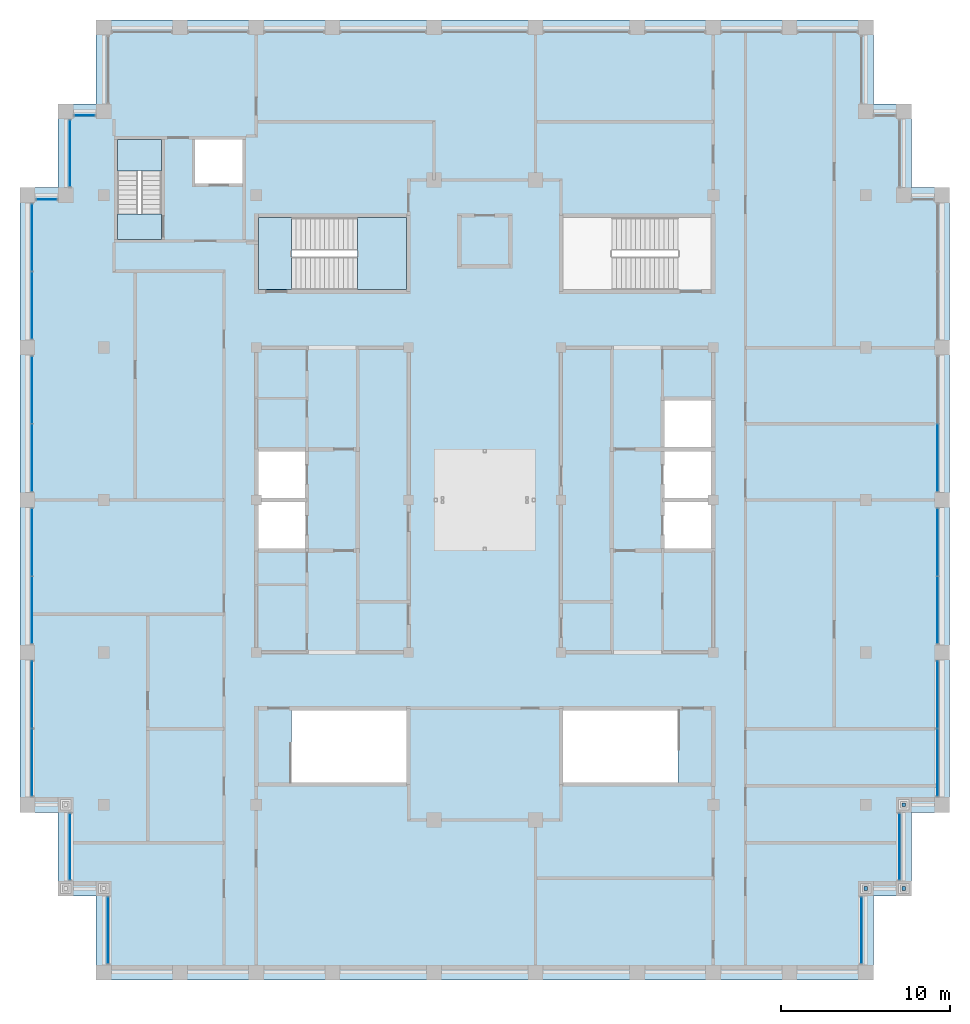
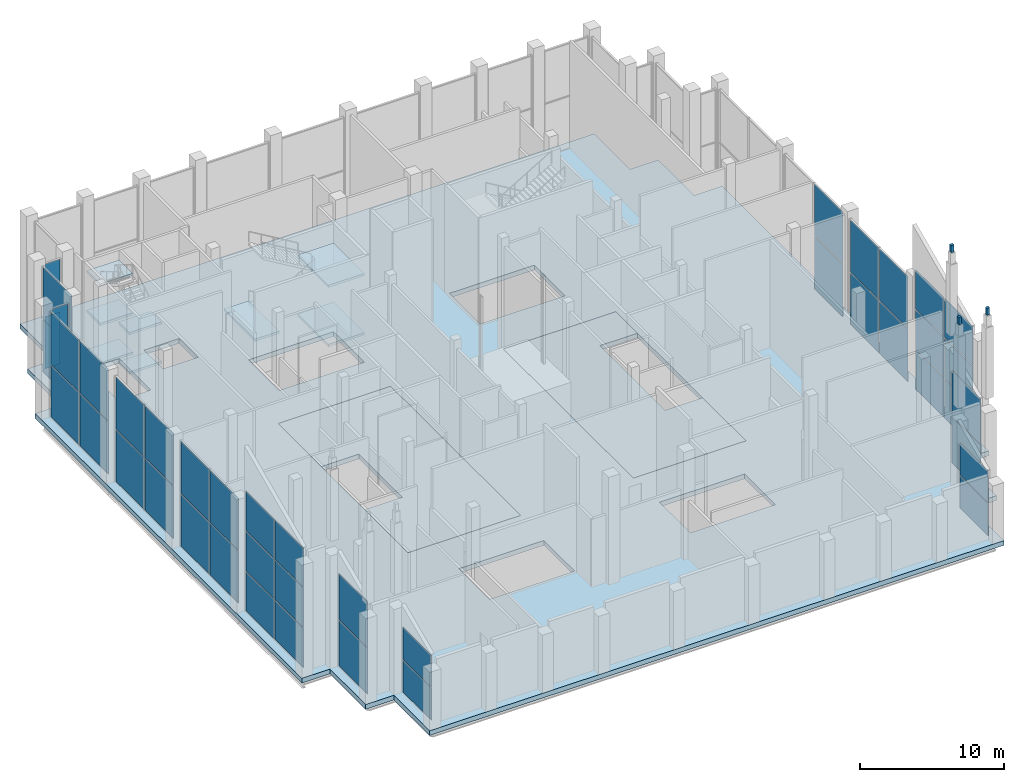
# One storey, part 10 of 16: 44 plates, 11 slabs, 3 members, 16 elements without a shape of their own.
"""IFC4 building model written with IfcOpenShell, lengths in metres."""

from ifc_helpers import new_model, si_unit, direction, frame, origin, origin_2d, place, context, subcontext, project, spatial, polyline, rectangle, outline, extrude, material, layer, layer_set, material_profile, profile_set, type_object, element, aggregate, save


model = new_model("IFC4")

# Units and contexts
model_context = context("Model", 3, precision=1e-05, world=origin(), true_north=direction((0.0, 1.0)))
body_context = subcontext(model_context, "Body", "Model", "MODEL_VIEW")
ifc_project = project(units=[si_unit("LENGTHUNIT", "METRE"), si_unit("AREAUNIT", "SQUARE_METRE"), si_unit("VOLUMEUNIT", "CUBIC_METRE"), si_unit("PLANEANGLEUNIT", "RADIAN"), si_unit("MASSUNIT", "GRAM", prefix="KILO")], contexts=[model_context])

# Site, building, storey
site_placement = place(None, origin())
site = spatial("IfcSite", under=ifc_project, at=site_placement, CompositionType="ELEMENT")
building_placement = place(site_placement, origin())
building = spatial("IfcBuilding", under=site, at=building_placement, Name="Corbelhall Arena Tower", CompositionType="ELEMENT")
storey_placement = place(building_placement, frame((0.0, 0.0, 366.0)))
storey = spatial("IfcBuildingStorey", under=building, at=storey_placement, Name="L80", CompositionType="ELEMENT", Elevation=366.0)

# Members
ifc_material_1 = material(Name="Cast aluminium bronze finish", Category="aluminium")
ifc_material_profile = material_profile(ifc_material_1, rectangle(XDim=0.219970703125, YDim=0.219970703125, at=origin_2d()))
ifc_profile_set = profile_set([ifc_material_profile], Name="Cast aluminium bronze finish")
member_type = type_object("IfcMemberType", Name="EV-PN7 Pinnacle spire 220", PredefinedType="USERDEFINED", material=ifc_profile_set)
for number, where, z_axis, x_axis, name in (
    (1, (22.5, -22.949951171875, 15.20654296875), (0.0, 0.0, 1.0), (1.0, 0.0, 0.0), "Pinnacle spire"),
    (2, (24.75, -22.949951171875, 15.20654296875), (0.0, 0.0, 1.0), (1.0, 0.0, 0.0), "Pinnacle spire"),
    (3, (24.75, -18.0, 17.512939453125), (0.0, 0.0, 1.0), (1.0, 0.0, 0.0), "Pinnacle spire"),
):
    element("IfcMember", number, at=place(storey_placement, frame(where, z_axis=z_axis, x_axis=x_axis)), inside=storey, type_object=member_type, Name=name, ObjectType="pinnacle spire", PredefinedType="USERDEFINED", context=body_context, shape_type="SweptSolid", body=[
        extrude(rectangle(XDim=0.219970703125, YDim=0.219970703125, at=origin_2d()), origin(), (0.0, 0.0, 1.0), 0.599853515625),
    ])

# Curtain wall, plates
ifc_material_2 = material(Name="Aluminium black anodised", Category="aluminium")
ifc_layer_1 = layer(ifc_material_2, 0.219970703125)
ifc_layer_set_1 = layer_set([ifc_layer_1], Name="EV-CW2 Damper hall glazing")
curtain_wall_type = type_object("IfcCurtainWallType", Name="EV-CW2 Damper hall glazing", PredefinedType="NOTDEFINED", material=ifc_layer_set_1)
curtain_wall_1_placement = place(storey_placement, origin())
curtain_wall_1 = element("IfcCurtainWall", 4, at=curtain_wall_1_placement, inside=storey, type_object=curtain_wall_type, Name="Curtain wall CW2", PredefinedType="NOTDEFINED")
ifc_material_3 = material(Name="Glass dark tinted laminated", Category="glass")
ifc_layer_2 = layer(ifc_material_3, 0.028076171875)
ifc_layer_set_2 = layer_set([ifc_layer_2], Name="EV-CW2-PANEL")
plate_type = type_object("IfcPlateType", Name="EV-CW2-PANEL", PredefinedType="CURTAIN_PANEL", material=ifc_layer_set_2)
plate_1_placement = place(storey_placement, frame((-24.5, 20.47509765625, 0.074951171875), z_axis=(0.0, 0.0, 1.0), x_axis=(0.0, -1.0, 0.0)))
plate_1 = element("IfcPlate", 5, at=plate_1_placement, type_object=plate_type, Name="CW2 panel 1.1", PredefinedType="CURTAIN_PANEL", context=body_context, shape_type="SweptSolid", body=[
    extrude(rectangle(XDim=3.89990234375, YDim=0.028076171875, at=origin_2d()), origin(), (0.0, 0.0, 1.0), 4.38720703125),
])
plate_2_placement = place(storey_placement, frame((-24.5, 20.47509765625, 4.537353515625), z_axis=(0.0, 0.0, 1.0), x_axis=(0.0, -1.0, 0.0)))
plate_2 = element("IfcPlate", 6, at=plate_2_placement, type_object=plate_type, Name="CW2 panel 1.2", PredefinedType="CURTAIN_PANEL", context=body_context, shape_type="SweptSolid", body=[
    extrude(rectangle(XDim=3.89990234375, YDim=0.028076171875, at=origin_2d()), origin(), (0.0, 0.0, 1.0), 4.38720703125),
])
aggregate(curtain_wall_1, [plate_1, plate_2])

curtain_wall_2_placement = place(storey_placement, origin())
curtain_wall_2 = element("IfcCurtainWall", 7, at=curtain_wall_2_placement, inside=storey, type_object=curtain_wall_type, Name="Curtain wall CW2B", PredefinedType="NOTDEFINED")
plate_3_placement = place(storey_placement, frame((-25.875, 17.75, 0.074951171875), z_axis=(0.0, 0.0, 1.0), x_axis=(-1.0, 0.0, 0.0)))
plate_3 = element("IfcPlate", 8, at=plate_3_placement, type_object=plate_type, Name="CW2B panel 1.1", PredefinedType="CURTAIN_PANEL", context=body_context, shape_type="SweptSolid", body=[
    extrude(rectangle(XDim=1.199951171875, YDim=0.028076171875, at=origin_2d()), origin(), (0.0, 0.0, 1.0), 4.38720703125),
])
plate_4_placement = place(storey_placement, frame((-25.875, 17.75, 4.537353515625), z_axis=(0.0, 0.0, 1.0), x_axis=(-1.0, 0.0, 0.0)))
plate_4 = element("IfcPlate", 9, at=plate_4_placement, type_object=plate_type, Name="CW2B panel 1.2", PredefinedType="CURTAIN_PANEL", context=body_context, shape_type="SweptSolid", body=[
    extrude(rectangle(XDim=1.199951171875, YDim=0.028076171875, at=origin_2d()), origin(), (0.0, 0.0, 1.0), 4.38720703125),
])
aggregate(curtain_wall_2, [plate_3, plate_4])

curtain_wall_3_placement = place(storey_placement, origin())
curtain_wall_3 = element("IfcCurtainWall", 10, at=curtain_wall_3_placement, inside=storey, type_object=curtain_wall_type, Name="Curtain wall CW2", PredefinedType="NOTDEFINED")
plate_5_placement = place(storey_placement, frame((-26.75, 15.50634765625, 0.074951171875), z_axis=(0.0, 0.0, 1.0), x_axis=(0.0, -1.0, 0.0)))
plate_5 = element("IfcPlate", 11, at=plate_5_placement, type_object=plate_type, Name="CW2 panel 1.1", PredefinedType="CURTAIN_PANEL", context=body_context, shape_type="SweptSolid", body=[
    extrude(rectangle(XDim=3.9375, YDim=0.028076171875, at=origin_2d()), origin(), (0.0, 0.0, 1.0), 4.38720703125),
])
plate_6_placement = place(storey_placement, frame((-26.75, 15.50634765625, 4.537353515625), z_axis=(0.0, 0.0, 1.0), x_axis=(0.0, -1.0, 0.0)))
plate_6 = element("IfcPlate", 12, at=plate_6_placement, type_object=plate_type, Name="CW2 panel 1.2", PredefinedType="CURTAIN_PANEL", context=body_context, shape_type="SweptSolid", body=[
    extrude(rectangle(XDim=3.9375, YDim=0.028076171875, at=origin_2d()), origin(), (0.0, 0.0, 1.0), 4.38720703125),
])
plate_7_placement = place(storey_placement, frame((-26.75, 11.49365234375, 0.074951171875), z_axis=(0.0, 0.0, 1.0), x_axis=(0.0, -1.0, 0.0)))
plate_7 = element("IfcPlate", 13, at=plate_7_placement, type_object=plate_type, Name="CW2 panel 2.1", PredefinedType="CURTAIN_PANEL", context=body_context, shape_type="SweptSolid", body=[
    extrude(rectangle(XDim=3.9375, YDim=0.028076171875, at=origin_2d()), origin(), (0.0, 0.0, 1.0), 4.38720703125),
])
plate_8_placement = place(storey_placement, frame((-26.75, 11.49365234375, 4.537353515625), z_axis=(0.0, 0.0, 1.0), x_axis=(0.0, -1.0, 0.0)))
plate_8 = element("IfcPlate", 14, at=plate_8_placement, type_object=plate_type, Name="CW2 panel 2.2", PredefinedType="CURTAIN_PANEL", context=body_context, shape_type="SweptSolid", body=[
    extrude(rectangle(XDim=3.9375, YDim=0.028076171875, at=origin_2d()), origin(), (0.0, 0.0, 1.0), 4.38720703125),
])
aggregate(curtain_wall_3, [plate_5, plate_6, plate_7, plate_8])

curtain_wall_4_placement = place(storey_placement, origin())
curtain_wall_4 = element("IfcCurtainWall", 15, at=curtain_wall_4_placement, inside=storey, type_object=curtain_wall_type, Name="Curtain wall CW2", PredefinedType="NOTDEFINED")
plate_9_placement = place(storey_placement, frame((-26.75, 6.50634765625, 0.074951171875), z_axis=(0.0, 0.0, 1.0), x_axis=(0.0, -1.0, 0.0)))
plate_9 = element("IfcPlate", 16, at=plate_9_placement, type_object=plate_type, Name="CW2 panel 1.1", PredefinedType="CURTAIN_PANEL", context=body_context, shape_type="SweptSolid", body=[
    extrude(rectangle(XDim=3.9375, YDim=0.028076171875, at=origin_2d()), origin(), (0.0, 0.0, 1.0), 4.38720703125),
])
plate_10_placement = place(storey_placement, frame((-26.75, 6.50634765625, 4.537353515625), z_axis=(0.0, 0.0, 1.0), x_axis=(0.0, -1.0, 0.0)))
plate_10 = element("IfcPlate", 17, at=plate_10_placement, type_object=plate_type, Name="CW2 panel 1.2", PredefinedType="CURTAIN_PANEL", context=body_context, shape_type="SweptSolid", body=[
    extrude(rectangle(XDim=3.9375, YDim=0.028076171875, at=origin_2d()), origin(), (0.0, 0.0, 1.0), 4.38720703125),
])
plate_11_placement = place(storey_placement, frame((-26.75, 2.49365234375, 0.074951171875), z_axis=(0.0, 0.0, 1.0), x_axis=(0.0, -1.0, 0.0)))
plate_11 = element("IfcPlate", 18, at=plate_11_placement, type_object=plate_type, Name="CW2 panel 2.1", PredefinedType="CURTAIN_PANEL", context=body_context, shape_type="SweptSolid", body=[
    extrude(rectangle(XDim=3.9375, YDim=0.028076171875, at=origin_2d()), origin(), (0.0, 0.0, 1.0), 4.38720703125),
])
plate_12_placement = place(storey_placement, frame((-26.75, 2.49365234375, 4.537353515625), z_axis=(0.0, 0.0, 1.0), x_axis=(0.0, -1.0, 0.0)))
plate_12 = element("IfcPlate", 19, at=plate_12_placement, type_object=plate_type, Name="CW2 panel 2.2", PredefinedType="CURTAIN_PANEL", context=body_context, shape_type="SweptSolid", body=[
    extrude(rectangle(XDim=3.9375, YDim=0.028076171875, at=origin_2d()), origin(), (0.0, 0.0, 1.0), 4.38720703125),
])
aggregate(curtain_wall_4, [plate_9, plate_10, plate_11, plate_12])

curtain_wall_5_placement = place(storey_placement, origin())
curtain_wall_5 = element("IfcCurtainWall", 20, at=curtain_wall_5_placement, inside=storey, type_object=curtain_wall_type, Name="Curtain wall CW2", PredefinedType="NOTDEFINED")
plate_13_placement = place(storey_placement, frame((-26.75, -2.49365234375, 0.074951171875), z_axis=(0.0, 0.0, 1.0), x_axis=(0.0, -1.0, 0.0)))
plate_13 = element("IfcPlate", 21, at=plate_13_placement, type_object=plate_type, Name="CW2 panel 1.1", PredefinedType="CURTAIN_PANEL", context=body_context, shape_type="SweptSolid", body=[
    extrude(rectangle(XDim=3.9375, YDim=0.028076171875, at=origin_2d()), origin(), (0.0, 0.0, 1.0), 4.38720703125),
])
plate_14_placement = place(storey_placement, frame((-26.75, -2.49365234375, 4.537353515625), z_axis=(0.0, 0.0, 1.0), x_axis=(0.0, -1.0, 0.0)))
plate_14 = element("IfcPlate", 22, at=plate_14_placement, type_object=plate_type, Name="CW2 panel 1.2", PredefinedType="CURTAIN_PANEL", context=body_context, shape_type="SweptSolid", body=[
    extrude(rectangle(XDim=3.9375, YDim=0.028076171875, at=origin_2d()), origin(), (0.0, 0.0, 1.0), 4.38720703125),
])
plate_15_placement = place(storey_placement, frame((-26.75, -6.50634765625, 0.074951171875), z_axis=(0.0, 0.0, 1.0), x_axis=(0.0, -1.0, 0.0)))
plate_15 = element("IfcPlate", 23, at=plate_15_placement, type_object=plate_type, Name="CW2 panel 2.1", PredefinedType="CURTAIN_PANEL", context=body_context, shape_type="SweptSolid", body=[
    extrude(rectangle(XDim=3.9375, YDim=0.028076171875, at=origin_2d()), origin(), (0.0, 0.0, 1.0), 4.38720703125),
])
plate_16_placement = place(storey_placement, frame((-26.75, -6.50634765625, 4.537353515625), z_axis=(0.0, 0.0, 1.0), x_axis=(0.0, -1.0, 0.0)))
plate_16 = element("IfcPlate", 24, at=plate_16_placement, type_object=plate_type, Name="CW2 panel 2.2", PredefinedType="CURTAIN_PANEL", context=body_context, shape_type="SweptSolid", body=[
    extrude(rectangle(XDim=3.9375, YDim=0.028076171875, at=origin_2d()), origin(), (0.0, 0.0, 1.0), 4.38720703125),
])
aggregate(curtain_wall_5, [plate_13, plate_14, plate_15, plate_16])

curtain_wall_6_placement = place(storey_placement, origin())
curtain_wall_6 = element("IfcCurtainWall", 25, at=curtain_wall_6_placement, inside=storey, type_object=curtain_wall_type, Name="Curtain wall CW2D", PredefinedType="NOTDEFINED")
plate_17_placement = place(storey_placement, frame((-26.75, -11.49365234375, 0.074951171875), z_axis=(0.0, 0.0, 1.0), x_axis=(0.0, -1.0, 0.0)))
plate_17 = element("IfcPlate", 26, at=plate_17_placement, type_object=plate_type, Name="CW2D panel 1.1", PredefinedType="CURTAIN_PANEL", context=body_context, shape_type="SweptSolid", body=[
    extrude(rectangle(XDim=3.9375, YDim=0.028076171875, at=origin_2d()), origin(), (0.0, 0.0, 1.0), 3.302734375),
])
plate_18_placement = place(storey_placement, frame((-26.75, -11.49365234375, 3.452880859375), z_axis=(0.0, 0.0, 1.0), x_axis=(0.0, -1.0, 0.0)))
plate_18 = element("IfcPlate", 27, at=plate_18_placement, type_object=plate_type, Name="CW2D panel 1.2", PredefinedType="CURTAIN_PANEL", context=body_context, shape_type="SweptSolid", body=[
    extrude(rectangle(XDim=3.9375, YDim=0.028076171875, at=origin_2d()), origin(), (0.0, 0.0, 1.0), 3.34033203125),
])
plate_19_placement = place(storey_placement, frame((-26.75, -11.49365234375, 6.8681640625), z_axis=(0.0, 0.0, 1.0), x_axis=(0.0, -1.0, 0.0)))
plate_19 = element("IfcPlate", 28, at=plate_19_placement, type_object=plate_type, Name="CW2D panel 1.3", PredefinedType="CURTAIN_PANEL", context=body_context, shape_type="SweptSolid", body=[
    extrude(rectangle(XDim=3.9375, YDim=0.028076171875, at=origin_2d()), origin(), (0.0, 0.0, 1.0), 3.302734375),
])
plate_20_placement = place(storey_placement, frame((-26.75, -15.50634765625, 0.074951171875), z_axis=(0.0, 0.0, 1.0), x_axis=(0.0, -1.0, 0.0)))
plate_20 = element("IfcPlate", 29, at=plate_20_placement, type_object=plate_type, Name="CW2D panel 2.1", PredefinedType="CURTAIN_PANEL", context=body_context, shape_type="SweptSolid", body=[
    extrude(rectangle(XDim=3.9375, YDim=0.028076171875, at=origin_2d()), origin(), (0.0, 0.0, 1.0), 3.302734375),
])
plate_21_placement = place(storey_placement, frame((-26.75, -15.50634765625, 3.452880859375), z_axis=(0.0, 0.0, 1.0), x_axis=(0.0, -1.0, 0.0)))
plate_21 = element("IfcPlate", 30, at=plate_21_placement, type_object=plate_type, Name="CW2D panel 2.2", PredefinedType="CURTAIN_PANEL", context=body_context, shape_type="SweptSolid", body=[
    extrude(rectangle(XDim=3.9375, YDim=0.028076171875, at=origin_2d()), origin(), (0.0, 0.0, 1.0), 3.34033203125),
])
plate_22_placement = place(storey_placement, frame((-26.75, -15.50634765625, 6.8681640625), z_axis=(0.0, 0.0, 1.0), x_axis=(0.0, -1.0, 0.0)))
plate_22 = element("IfcPlate", 31, at=plate_22_placement, type_object=plate_type, Name="CW2D panel 2.3", PredefinedType="CURTAIN_PANEL", context=body_context, shape_type="SweptSolid", body=[
    extrude(rectangle(XDim=3.9375, YDim=0.028076171875, at=origin_2d()), origin(), (0.0, 0.0, 1.0), 3.302734375),
])
aggregate(curtain_wall_6, [plate_17, plate_18, plate_19, plate_20, plate_21, plate_22])

curtain_wall_7_placement = place(storey_placement, origin())
curtain_wall_7 = element("IfcCurtainWall", 32, at=curtain_wall_7_placement, inside=storey, type_object=curtain_wall_type, Name="Curtain wall CW2F", PredefinedType="NOTDEFINED")
plate_23_placement = place(storey_placement, frame((-24.5, -20.47509765625, 0.0751953125), z_axis=(0.0, 0.0, 1.0), x_axis=(0.0, -1.0, 0.0)))
plate_23 = element("IfcPlate", 33, at=plate_23_placement, type_object=plate_type, Name="CW2F panel 1.1", PredefinedType="CURTAIN_PANEL", context=body_context, shape_type="SweptSolid", body=[
    extrude(rectangle(XDim=3.89990234375, YDim=0.028076171875, at=origin_2d()), origin(), (0.0, 0.0, 1.0), 3.857177734375),
])
plate_24_placement = place(storey_placement, frame((-24.5, -20.47509765625, 4.00732421875), z_axis=(0.0, 0.0, 1.0), x_axis=(0.0, -1.0, 0.0)))
plate_24 = element("IfcPlate", 34, at=plate_24_placement, type_object=plate_type, Name="CW2F panel 1.2", PredefinedType="CURTAIN_PANEL", context=body_context, shape_type="SweptSolid", body=[
    extrude(rectangle(XDim=3.89990234375, YDim=0.028076171875, at=origin_2d()), origin(), (0.0, 0.0, 1.0), 3.857177734375),
])
aggregate(curtain_wall_7, [plate_23, plate_24])

curtain_wall_8_placement = place(storey_placement, origin())
curtain_wall_8 = element("IfcCurtainWall", 35, at=curtain_wall_8_placement, inside=storey, type_object=curtain_wall_type, Name="Curtain wall CW2E", PredefinedType="NOTDEFINED")
plate_25_placement = place(storey_placement, frame((-22.25, -25.425048828125, 0.074951171875), z_axis=(0.0, 0.0, 1.0), x_axis=(0.0, -1.0, 0.0)))
plate_25 = element("IfcPlate", 36, at=plate_25_placement, type_object=plate_type, Name="CW2E panel 1.1", PredefinedType="CURTAIN_PANEL", context=body_context, shape_type="SweptSolid", body=[
    extrude(rectangle(XDim=3.89990234375, YDim=0.028076171875, at=origin_2d()), origin(), (0.0, 0.0, 1.0), 2.7041015625),
])
plate_26_placement = place(storey_placement, frame((-22.25, -25.425048828125, 2.85400390625), z_axis=(0.0, 0.0, 1.0), x_axis=(0.0, -1.0, 0.0)))
plate_26 = element("IfcPlate", 37, at=plate_26_placement, type_object=plate_type, Name="CW2E panel 1.2", PredefinedType="CURTAIN_PANEL", context=body_context, shape_type="SweptSolid", body=[
    extrude(rectangle(XDim=3.89990234375, YDim=0.028076171875, at=origin_2d()), origin(), (0.0, 0.0, 1.0), 2.7041015625),
])
aggregate(curtain_wall_8, [plate_25, plate_26])

curtain_wall_9_placement = place(storey_placement, origin())
curtain_wall_9 = element("IfcCurtainWall", 38, at=curtain_wall_9_placement, inside=storey, type_object=curtain_wall_type, Name="Curtain wall CW2E", PredefinedType="NOTDEFINED")
plate_27_placement = place(storey_placement, frame((22.25, -25.425048828125, 0.074951171875), z_axis=(0.0, 0.0, 1.0), x_axis=(0.0, 1.0, 0.0)))
plate_27 = element("IfcPlate", 39, at=plate_27_placement, type_object=plate_type, Name="CW2E panel 1.1", PredefinedType="CURTAIN_PANEL", context=body_context, shape_type="SweptSolid", body=[
    extrude(rectangle(XDim=3.89990234375, YDim=0.028076171875, at=origin_2d()), origin(), (0.0, 0.0, 1.0), 2.7041015625),
])
plate_28_placement = place(storey_placement, frame((22.25, -25.425048828125, 2.85400390625), z_axis=(0.0, 0.0, 1.0), x_axis=(0.0, 1.0, 0.0)))
plate_28 = element("IfcPlate", 40, at=plate_28_placement, type_object=plate_type, Name="CW2E panel 1.2", PredefinedType="CURTAIN_PANEL", context=body_context, shape_type="SweptSolid", body=[
    extrude(rectangle(XDim=3.89990234375, YDim=0.028076171875, at=origin_2d()), origin(), (0.0, 0.0, 1.0), 2.7041015625),
])
aggregate(curtain_wall_9, [plate_27, plate_28])

curtain_wall_10_placement = place(storey_placement, origin())
curtain_wall_10 = element("IfcCurtainWall", 41, at=curtain_wall_10_placement, inside=storey, type_object=curtain_wall_type, Name="Curtain wall CW2F", PredefinedType="NOTDEFINED")
plate_29_placement = place(storey_placement, frame((24.5, -20.47509765625, 0.0751953125), z_axis=(0.0, 0.0, 1.0), x_axis=(0.0, 1.0, 0.0)))
plate_29 = element("IfcPlate", 42, at=plate_29_placement, type_object=plate_type, Name="CW2F panel 1.1", PredefinedType="CURTAIN_PANEL", context=body_context, shape_type="SweptSolid", body=[
    extrude(rectangle(XDim=3.89990234375, YDim=0.028076171875, at=origin_2d()), origin(), (0.0, 0.0, 1.0), 3.857177734375),
])
plate_30_placement = place(storey_placement, frame((24.5, -20.47509765625, 4.00732421875), z_axis=(0.0, 0.0, 1.0), x_axis=(0.0, 1.0, 0.0)))
plate_30 = element("IfcPlate", 43, at=plate_30_placement, type_object=plate_type, Name="CW2F panel 1.2", PredefinedType="CURTAIN_PANEL", context=body_context, shape_type="SweptSolid", body=[
    extrude(rectangle(XDim=3.89990234375, YDim=0.028076171875, at=origin_2d()), origin(), (0.0, 0.0, 1.0), 3.857177734375),
])
aggregate(curtain_wall_10, [plate_29, plate_30])

curtain_wall_11_placement = place(storey_placement, origin())
curtain_wall_11 = element("IfcCurtainWall", 44, at=curtain_wall_11_placement, inside=storey, type_object=curtain_wall_type, Name="Curtain wall CW2D", PredefinedType="NOTDEFINED")
plate_31_placement = place(storey_placement, frame((26.75, -15.50634765625, 0.074951171875), z_axis=(0.0, 0.0, 1.0), x_axis=(0.0, 1.0, 0.0)))
plate_31 = element("IfcPlate", 45, at=plate_31_placement, type_object=plate_type, Name="CW2D panel 1.1", PredefinedType="CURTAIN_PANEL", context=body_context, shape_type="SweptSolid", body=[
    extrude(rectangle(XDim=3.9375, YDim=0.028076171875, at=origin_2d()), origin(), (0.0, 0.0, 1.0), 3.302734375),
])
plate_32_placement = place(storey_placement, frame((26.75, -15.50634765625, 3.452880859375), z_axis=(0.0, 0.0, 1.0), x_axis=(0.0, 1.0, 0.0)))
plate_32 = element("IfcPlate", 46, at=plate_32_placement, type_object=plate_type, Name="CW2D panel 1.2", PredefinedType="CURTAIN_PANEL", context=body_context, shape_type="SweptSolid", body=[
    extrude(rectangle(XDim=3.9375, YDim=0.028076171875, at=origin_2d()), origin(), (0.0, 0.0, 1.0), 3.34033203125),
])
plate_33_placement = place(storey_placement, frame((26.75, -15.50634765625, 6.8681640625), z_axis=(0.0, 0.0, 1.0), x_axis=(0.0, 1.0, 0.0)))
plate_33 = element("IfcPlate", 47, at=plate_33_placement, type_object=plate_type, Name="CW2D panel 1.3", PredefinedType="CURTAIN_PANEL", context=body_context, shape_type="SweptSolid", body=[
    extrude(rectangle(XDim=3.9375, YDim=0.028076171875, at=origin_2d()), origin(), (0.0, 0.0, 1.0), 3.302734375),
])
plate_34_placement = place(storey_placement, frame((26.75, -11.49365234375, 0.074951171875), z_axis=(0.0, 0.0, 1.0), x_axis=(0.0, 1.0, 0.0)))
plate_34 = element("IfcPlate", 48, at=plate_34_placement, type_object=plate_type, Name="CW2D panel 2.1", PredefinedType="CURTAIN_PANEL", context=body_context, shape_type="SweptSolid", body=[
    extrude(rectangle(XDim=3.9375, YDim=0.028076171875, at=origin_2d()), origin(), (0.0, 0.0, 1.0), 3.302734375),
])
plate_35_placement = place(storey_placement, frame((26.75, -11.49365234375, 3.452880859375), z_axis=(0.0, 0.0, 1.0), x_axis=(0.0, 1.0, 0.0)))
plate_35 = element("IfcPlate", 49, at=plate_35_placement, type_object=plate_type, Name="CW2D panel 2.2", PredefinedType="CURTAIN_PANEL", context=body_context, shape_type="SweptSolid", body=[
    extrude(rectangle(XDim=3.9375, YDim=0.028076171875, at=origin_2d()), origin(), (0.0, 0.0, 1.0), 3.34033203125),
])
plate_36_placement = place(storey_placement, frame((26.75, -11.49365234375, 6.8681640625), z_axis=(0.0, 0.0, 1.0), x_axis=(0.0, 1.0, 0.0)))
plate_36 = element("IfcPlate", 50, at=plate_36_placement, type_object=plate_type, Name="CW2D panel 2.3", PredefinedType="CURTAIN_PANEL", context=body_context, shape_type="SweptSolid", body=[
    extrude(rectangle(XDim=3.9375, YDim=0.028076171875, at=origin_2d()), origin(), (0.0, 0.0, 1.0), 3.302734375),
])
aggregate(curtain_wall_11, [plate_31, plate_32, plate_33, plate_34, plate_35, plate_36])

curtain_wall_12_placement = place(storey_placement, origin())
curtain_wall_12 = element("IfcCurtainWall", 51, at=curtain_wall_12_placement, inside=storey, type_object=curtain_wall_type, Name="Curtain wall CW2", PredefinedType="NOTDEFINED")
plate_37_placement = place(storey_placement, frame((26.75, -6.50634765625, 0.074951171875), z_axis=(0.0, 0.0, 1.0), x_axis=(0.0, 1.0, 0.0)))
plate_37 = element("IfcPlate", 52, at=plate_37_placement, type_object=plate_type, Name="CW2 panel 1.1", PredefinedType="CURTAIN_PANEL", context=body_context, shape_type="SweptSolid", body=[
    extrude(rectangle(XDim=3.9375, YDim=0.028076171875, at=origin_2d()), origin(), (0.0, 0.0, 1.0), 4.38720703125),
])
plate_38_placement = place(storey_placement, frame((26.75, -6.50634765625, 4.537353515625), z_axis=(0.0, 0.0, 1.0), x_axis=(0.0, 1.0, 0.0)))
plate_38 = element("IfcPlate", 53, at=plate_38_placement, type_object=plate_type, Name="CW2 panel 1.2", PredefinedType="CURTAIN_PANEL", context=body_context, shape_type="SweptSolid", body=[
    extrude(rectangle(XDim=3.9375, YDim=0.028076171875, at=origin_2d()), origin(), (0.0, 0.0, 1.0), 4.38720703125),
])
plate_39_placement = place(storey_placement, frame((26.75, -2.49365234375, 0.074951171875), z_axis=(0.0, 0.0, 1.0), x_axis=(0.0, 1.0, 0.0)))
plate_39 = element("IfcPlate", 54, at=plate_39_placement, type_object=plate_type, Name="CW2 panel 2.1", PredefinedType="CURTAIN_PANEL", context=body_context, shape_type="SweptSolid", body=[
    extrude(rectangle(XDim=3.9375, YDim=0.028076171875, at=origin_2d()), origin(), (0.0, 0.0, 1.0), 4.38720703125),
])
plate_40_placement = place(storey_placement, frame((26.75, -2.49365234375, 4.537353515625), z_axis=(0.0, 0.0, 1.0), x_axis=(0.0, 1.0, 0.0)))
plate_40 = element("IfcPlate", 55, at=plate_40_placement, type_object=plate_type, Name="CW2 panel 2.2", PredefinedType="CURTAIN_PANEL", context=body_context, shape_type="SweptSolid", body=[
    extrude(rectangle(XDim=3.9375, YDim=0.028076171875, at=origin_2d()), origin(), (0.0, 0.0, 1.0), 4.38720703125),
])
aggregate(curtain_wall_12, [plate_37, plate_38, plate_39, plate_40])

curtain_wall_13_placement = place(storey_placement, origin())
curtain_wall_13 = element("IfcCurtainWall", 56, at=curtain_wall_13_placement, inside=storey, type_object=curtain_wall_type, Name="Curtain wall CW2", PredefinedType="NOTDEFINED")
plate_41_placement = place(storey_placement, frame((26.75, 2.49365234375, 0.074951171875), z_axis=(0.0, 0.0, 1.0), x_axis=(0.0, 1.0, 0.0)))
plate_41 = element("IfcPlate", 57, at=plate_41_placement, type_object=plate_type, Name="CW2 panel 1.1", PredefinedType="CURTAIN_PANEL", context=body_context, shape_type="SweptSolid", body=[
    extrude(rectangle(XDim=3.9375, YDim=0.028076171875, at=origin_2d()), origin(), (0.0, 0.0, 1.0), 4.38720703125),
])
plate_42_placement = place(storey_placement, frame((26.75, 2.49365234375, 4.537353515625), z_axis=(0.0, 0.0, 1.0), x_axis=(0.0, 1.0, 0.0)))
plate_42 = element("IfcPlate", 58, at=plate_42_placement, type_object=plate_type, Name="CW2 panel 1.2", PredefinedType="CURTAIN_PANEL", context=body_context, shape_type="SweptSolid", body=[
    extrude(rectangle(XDim=3.9375, YDim=0.028076171875, at=origin_2d()), origin(), (0.0, 0.0, 1.0), 4.38720703125),
])
aggregate(curtain_wall_13, [plate_41, plate_42])

curtain_wall_14_placement = place(storey_placement, origin())
curtain_wall_14 = element("IfcCurtainWall", 59, at=curtain_wall_14_placement, inside=storey, type_object=curtain_wall_type, Name="Curtain wall CW2B", PredefinedType="NOTDEFINED")
plate_43_placement = place(storey_placement, frame((-23.625, 22.699951171875, 0.074951171875), z_axis=(0.0, 0.0, 1.0), x_axis=(-1.0, 0.0, 0.0)))
plate_43 = element("IfcPlate", 60, at=plate_43_placement, type_object=plate_type, Name="CW2B panel 1.1", PredefinedType="CURTAIN_PANEL", context=body_context, shape_type="SweptSolid", body=[
    extrude(rectangle(XDim=1.199951171875, YDim=0.028076171875, at=origin_2d()), origin(), (0.0, 0.0, 1.0), 4.38720703125),
])
plate_44_placement = place(storey_placement, frame((-23.625, 22.699951171875, 4.537353515625), z_axis=(0.0, 0.0, 1.0), x_axis=(-1.0, 0.0, 0.0)))
plate_44 = element("IfcPlate", 61, at=plate_44_placement, type_object=plate_type, Name="CW2B panel 1.2", PredefinedType="CURTAIN_PANEL", context=body_context, shape_type="SweptSolid", body=[
    extrude(rectangle(XDim=1.199951171875, YDim=0.028076171875, at=origin_2d()), origin(), (0.0, 0.0, 1.0), 4.38720703125),
])
aggregate(curtain_wall_14, [plate_43, plate_44])

# Slabs
ifc_material_4 = material(Name="Concrete C40/50", Category="concrete")
ifc_layer_3 = layer(ifc_material_4, 0.300048828125)
ifc_layer_set_3 = layer_set([ifc_layer_3], Name="IN-SL-CORE")
slab_type_1 = type_object("IfcSlabType", Name="IN-SL-CORE", PredefinedType="FLOOR", material=ifc_layer_set_3)
slab_1_placement = place(storey_placement, frame((0.0, 0.0, -0.400390625)))
element("IfcSlab", 62, at=slab_1_placement, inside=storey, type_object=slab_type_1, Name="Core floor W", PredefinedType="FLOOR", context=body_context, shape_type="SweptSolid", body=[
    extrude(outline(polyline([(-4.5, 9.0), (-13.5, 9.0), (-13.5, 3.0), (-10.5, 3.0), (-10.5, 0.0), (-10.5, -3.0), (-13.5, -3.0), (-13.5, -9.0), (-4.5, -9.0), (-4.5, 9.0)])), origin(), (0.0, 0.0, 1.0), 0.400390625),
])
slab_2_placement = place(storey_placement, frame((0.0, 0.0, -0.400390625)))
element("IfcSlab", 63, at=slab_2_placement, inside=storey, type_object=slab_type_1, Name="Core floor E", PredefinedType="FLOOR", context=body_context, shape_type="SweptSolid", body=[
    extrude(outline(polyline([(4.5, 9.0), (4.5, -9.0), (13.5, -9.0), (13.5, -3.0), (10.5, -3.0), (10.5, 0.0), (10.5, 3.0), (10.5, 6.0), (13.5, 6.0), (13.5, 9.0), (4.5, 9.0)])), origin(), (0.0, 0.0, 1.0), 0.400390625),
])

# Stair, slabs
stair_type = type_object("IfcStairType", Name="IN-ST-TOWER", PredefinedType="HALF_TURN_STAIR", material=ifc_material_4)
stair_1_placement = place(storey_placement, origin())
stair_1 = element("IfcStair", 64, at=stair_1_placement, inside=storey, type_object=stair_type, Name="L80 Exit stair ST1", PredefinedType="HALF_TURN_STAIR")
ifc_layer_4 = layer(ifc_material_4, 0.199951171875)
ifc_layer_set_4 = layer_set([ifc_layer_4], Name="IN-SL-LANDING")
slab_type_2 = type_object("IfcSlabType", Name="IN-SL-LANDING", PredefinedType="LANDING", material=ifc_layer_set_4)
slab_3_placement = place(storey_placement, frame((0.0, 0.0, 2.300048828125)))
slab_3 = element("IfcSlab", 65, at=slab_3_placement, type_object=slab_type_2, Name="ST1 landing 1", PredefinedType="LANDING", context=body_context, shape_type="SweptSolid", body=[
    extrude(outline(polyline([(-7.5048828125, 12.425048828125), (-4.625, 12.425048828125), (-4.625, 16.675048828125), (-7.5048828125, 16.675048828125), (-7.5048828125, 12.425048828125)])), origin(), (0.0, 0.0, 1.0), 0.199951171875),
])
slab_4_placement = place(storey_placement, frame((0.0, 0.0, 4.800048828125)))
slab_4 = element("IfcSlab", 66, at=slab_4_placement, type_object=slab_type_2, Name="ST1 landing 2", PredefinedType="LANDING", context=body_context, shape_type="SweptSolid", body=[
    extrude(outline(polyline([(-13.375, 12.425048828125), (-11.425048828125, 12.425048828125), (-11.425048828125, 16.675048828125), (-13.375, 16.675048828125), (-13.375, 12.425048828125)])), origin(), (0.0, 0.0, 1.0), 0.199951171875),
])
slab_5_placement = place(storey_placement, frame((0.0, 0.0, 7.300048828125)))
slab_5 = element("IfcSlab", 67, at=slab_5_placement, type_object=slab_type_2, Name="ST1 landing 3", PredefinedType="LANDING", context=body_context, shape_type="SweptSolid", body=[
    extrude(outline(polyline([(-7.5048828125, 12.425048828125), (-4.625, 12.425048828125), (-4.625, 16.675048828125), (-7.5048828125, 16.675048828125), (-7.5048828125, 12.425048828125)])), origin(), (0.0, 0.0, 1.0), 0.199951171875),
])
aggregate(stair_1, [slab_3, slab_4, slab_5])

stair_2_placement = place(storey_placement, origin())
stair_2 = element("IfcStair", 68, at=stair_2_placement, inside=storey, type_object=stair_type, Name="L80 Exit stair ST5", PredefinedType="HALF_TURN_STAIR")
slab_6_placement = place(storey_placement, frame((0.0, 0.0, 1.466552734375)))
slab_6 = element("IfcSlab", 69, at=slab_6_placement, type_object=slab_type_2, Name="ST5 landing 1", PredefinedType="LANDING", context=body_context, shape_type="SweptSolid", body=[
    extrude(outline(polyline([(-19.094970703125, 19.419921875), (-19.094970703125, 21.300048828125), (-21.695068359375, 21.300048828125), (-21.695068359375, 19.419921875), (-19.094970703125, 19.419921875)])), origin(), (0.0, 0.0, 1.0), 0.2001953125),
])
slab_7_placement = place(storey_placement, frame((0.0, 0.0, 3.13330078125)))
slab_7 = element("IfcSlab", 70, at=slab_7_placement, type_object=slab_type_2, Name="ST5 landing 2", PredefinedType="LANDING", context=body_context, shape_type="SweptSolid", body=[
    extrude(outline(polyline([(-19.094970703125, 15.39990234375), (-19.094970703125, 16.89990234375), (-21.695068359375, 16.89990234375), (-21.695068359375, 15.39990234375), (-19.094970703125, 15.39990234375)])), origin(), (0.0, 0.0, 1.0), 0.199951171875),
])
slab_8_placement = place(storey_placement, frame((0.0, 0.0, 4.800048828125)))
slab_8 = element("IfcSlab", 71, at=slab_8_placement, type_object=slab_type_2, Name="ST5 landing 3", PredefinedType="LANDING", context=body_context, shape_type="SweptSolid", body=[
    extrude(outline(polyline([(-19.094970703125, 19.419921875), (-19.094970703125, 21.300048828125), (-21.695068359375, 21.300048828125), (-21.695068359375, 19.419921875), (-19.094970703125, 19.419921875)])), origin(), (0.0, 0.0, 1.0), 0.199951171875),
])
slab_9_placement = place(storey_placement, frame((0.0, 0.0, 6.466552734375)))
slab_9 = element("IfcSlab", 72, at=slab_9_placement, type_object=slab_type_2, Name="ST5 landing 4", PredefinedType="LANDING", context=body_context, shape_type="SweptSolid", body=[
    extrude(outline(polyline([(-19.094970703125, 15.39990234375), (-19.094970703125, 16.89990234375), (-21.695068359375, 16.89990234375), (-21.695068359375, 15.39990234375), (-19.094970703125, 15.39990234375)])), origin(), (0.0, 0.0, 1.0), 0.2001953125),
])
slab_10_placement = place(storey_placement, frame((0.0, 0.0, 8.13330078125)))
slab_10 = element("IfcSlab", 73, at=slab_10_placement, type_object=slab_type_2, Name="ST5 landing 5", PredefinedType="LANDING", context=body_context, shape_type="SweptSolid", body=[
    extrude(outline(polyline([(-19.094970703125, 19.419921875), (-19.094970703125, 21.300048828125), (-21.695068359375, 21.300048828125), (-21.695068359375, 19.419921875), (-19.094970703125, 19.419921875)])), origin(), (0.0, 0.0, 1.0), 0.199951171875),
])
aggregate(stair_2, [slab_6, slab_7, slab_8, slab_9, slab_10])

# Slab
ifc_layer_5 = layer(ifc_material_4, 0.400390625)
ifc_layer_set_5 = layer_set([ifc_layer_5], Name="ST-SLAB-FLOOR-400")
slab_type_3 = type_object("IfcSlabType", Name="ST-SLAB-FLOOR-400", PredefinedType="FLOOR", material=ifc_layer_set_5)
slab_11_placement = place(storey_placement, frame((0.0, 0.0, -0.400390625)))
element("IfcSlab", 74, at=slab_11_placement, inside=storey, type_object=slab_type_3, Name="Floor slab L80 1", PredefinedType="FLOOR", context=body_context, shape_type="SweptSolid", body=[
    extrude(outline(polyline([(27.449951171875, 18.449951171875), (25.199951171875, 18.449951171875), (25.199951171875, 23.39990234375), (22.949951171875, 23.39990234375), (22.949951171875, 28.35009765625), (-22.949951171875, 28.35009765625), (-22.949951171875, 23.39990234375), (-25.199951171875, 23.39990234375), (-25.199951171875, 18.449951171875), (-27.449951171875, 18.449951171875), (-27.449951171875, -18.449951171875), (-25.199951171875, -18.449951171875), (-25.199951171875, -23.39990234375), (-22.949951171875, -23.39990234375), (-22.949951171875, -28.35009765625), (22.949951171875, -28.35009765625), (22.949951171875, -23.39990234375), (25.199951171875, -23.39990234375), (25.199951171875, -18.449951171875), (27.449951171875, -18.449951171875), (27.449951171875, 18.449951171875)]), holes=[polyline([(-13.5, 9.0), (-13.5, -9.0), (-4.5, -9.0), (-4.5, 9.0), (-13.5, 9.0)]), polyline([(4.5, 9.0), (4.5, -9.0), (13.5, -9.0), (13.5, 9.0), (4.5, 9.0)]), polyline([(-4.625, 16.675048828125), (-11.422119140625, 16.675048828125), (-11.422119140625, 12.425048828125), (-4.625, 12.425048828125), (-4.625, 16.675048828125)]), polyline([(-4.625, -16.675048828125), (-4.625, -12.425048828125), (-11.422119140625, -12.425048828125), (-11.422119140625, -16.675048828125), (-4.625, -16.675048828125)]), polyline([(11.422119140625, 16.675048828125), (4.625, 16.675048828125), (4.625, 12.425048828125), (11.422119140625, 12.425048828125), (11.422119140625, 16.675048828125)]), polyline([(11.422119140625, -16.675048828125), (11.422119140625, -12.425048828125), (4.625, -12.425048828125), (4.625, -16.675048828125), (11.422119140625, -16.675048828125)]), polyline([(-21.695068359375, 21.300048828125), (-21.695068359375, 16.903076171875), (-19.094970703125, 16.903076171875), (-19.094970703125, 21.300048828125), (-21.695068359375, 21.300048828125)]), polyline([(-14.300048828125, 21.300048828125), (-17.10009765625, 21.300048828125), (-17.10009765625, 18.699951171875), (-14.300048828125, 18.699951171875), (-14.300048828125, 21.300048828125)])]), origin(), (0.0, 0.0, 1.0), 0.400390625),
])

save(model, "model.ifc")
